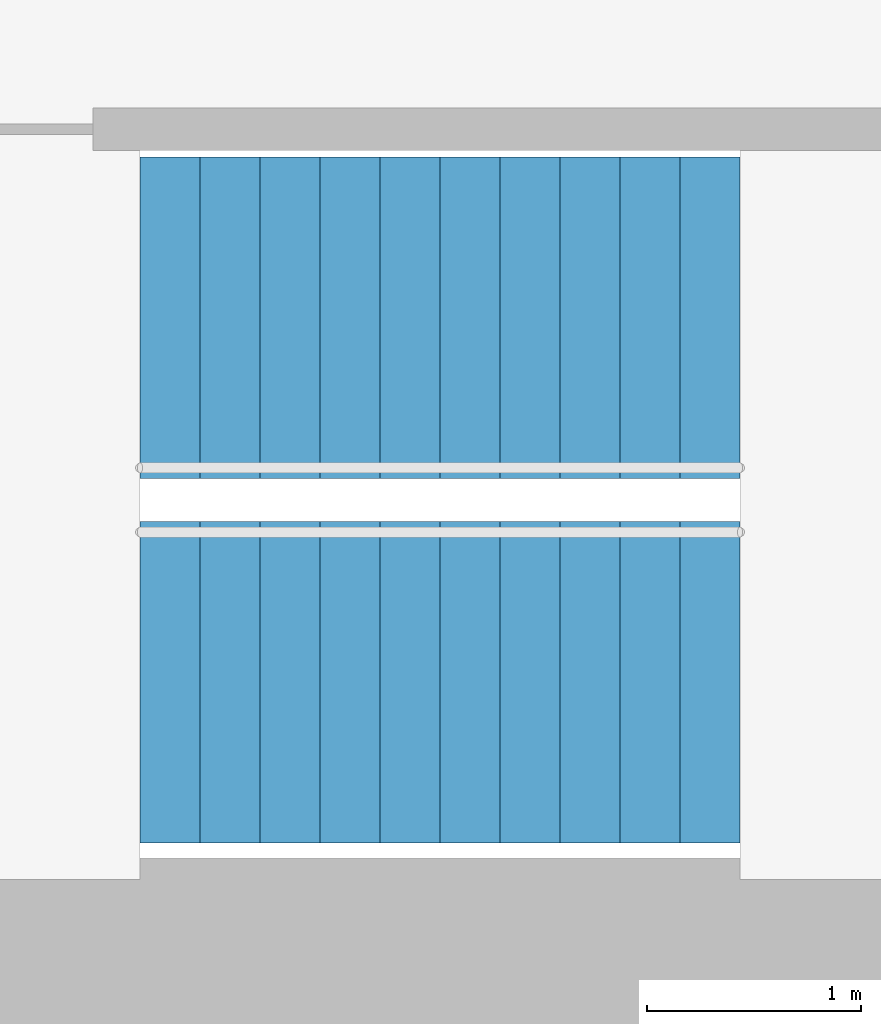
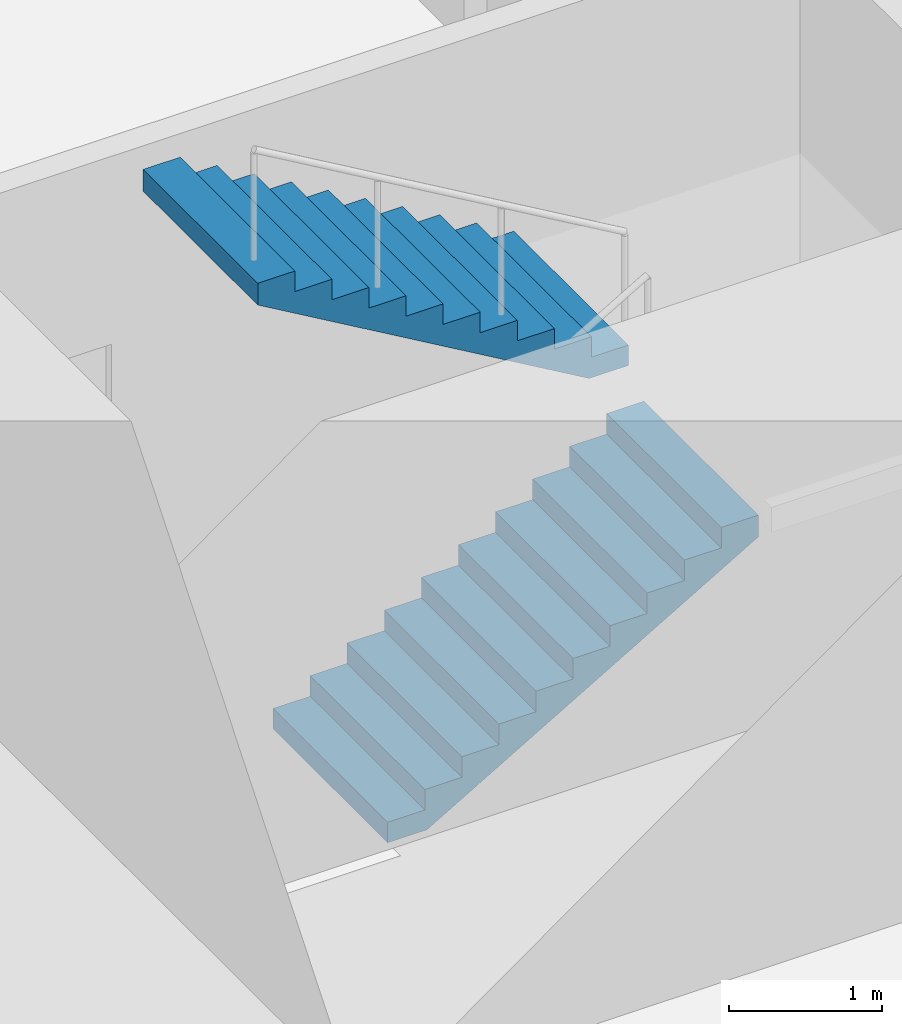
# One storey, part 13 of 15: 2 stair flights, 1 element without a shape of its own.
"""IFC4 building model written with IfcOpenShell, lengths in metres."""

from ifc_helpers import new_model, si_unit, direction, frame, origin, place, context, subcontext, project, spatial, triangles, material, type_object, element, aggregate, save


model = new_model("IFC4")

# Units and contexts
model_context = context("Model", 3, precision=1e-05, world=origin(), true_north=direction((0.0, 1.0)))
body_context = subcontext(model_context, "Body", "Model", "MODEL_VIEW")
ifc_project = project(units=[si_unit("LENGTHUNIT", "METRE"), si_unit("AREAUNIT", "SQUARE_METRE"), si_unit("VOLUMEUNIT", "CUBIC_METRE"), si_unit("PLANEANGLEUNIT", "RADIAN"), si_unit("MASSUNIT", "GRAM", prefix="KILO")], contexts=[model_context])

# Site, building, storey
site_placement = place(None, origin())
site = spatial("IfcSite", under=ifc_project, at=site_placement, CompositionType="ELEMENT")
building_placement = place(site_placement, origin())
building = spatial("IfcBuilding", under=site, at=building_placement, Name="Lantaw Convention Tower", CompositionType="ELEMENT")
storey_placement = place(building_placement, frame((0.0, 0.0, 80.199951171875)))
storey = spatial("IfcBuildingStorey", under=building, at=storey_placement, Name="L18", CompositionType="ELEMENT", Elevation=80.199951171875)

# Stair, stair flights
ifc_material = material(Name="Concrete C35/45", Category="concrete")
stair_type = type_object("IfcStairType", Name="Exit stair 1500 riser 163.64 in 2 flights", PredefinedType="HALF_TURN_STAIR", material=ifc_material)
stair_placement = place(storey_placement, origin())
stair = element("IfcStair", 1, at=stair_placement, inside=storey, type_object=stair_type, Name="Exit stair S1 L18", PredefinedType="HALF_TURN_STAIR")
stair_flight_type = type_object("IfcStairFlightType", Name="Stair flight 1500 riser 163.64", PredefinedType="STRAIGHT", material=ifc_material)
stair_flight_1_placement = place(storey_placement, frame((-10.580078125, -5.97998046875, 0.0), z_axis=(0.0, 0.0, 1.0), x_axis=(1.0, 0.0, 0.0)))
stair_flight_1 = element("IfcStairFlight", 2, at=stair_flight_1_placement, type_object=stair_flight_type, Name="S1 flight 1", NumberOfRisers=11, NumberOfTreads=10, PredefinedType="STRAIGHT", RiserHeight=0.163636364, TreadLength=0.28, context=body_context, shape_type="Tessellation", body=[
    triangles([(0.0, 0.75, 0.0), (0.0, 0.75, 0.163636364), (0.28, 0.75, 0.0), (0.28, 0.75, 0.163636364), (0.28, 0.75, 0.327272728), (0.2970904571225277, 0.75, 0.0), (0.2970904571225277, 0.75, 0.327272728), (0.56, 0.75, 0.1536484344906131), (0.56, 0.75, 0.327272728), (0.56, 0.75, 0.490909092), (0.8400000000000001, 0.75, 0.3172847984906131), (0.8400000000000001, 0.75, 0.490909092), (0.8400000000000001, 0.75, 0.654545456), (1.12, 0.75, 0.4809211624906131), (1.12, 0.75, 0.654545456), (1.12, 0.75, 0.8181818200000001), (1.4000000000000001, 0.75, 0.6445575264906132), (1.4000000000000001, 0.75, 0.8181818200000001), (1.4000000000000001, 0.75, 0.981818184), (1.6800000000000002, 0.75, 0.8081938904906131), (1.6800000000000002, 0.75, 0.981818184), (1.6800000000000002, 0.75, 1.145454548), (1.9600000000000002, 0.75, 0.9718302544906131), (1.9600000000000002, 0.75, 1.145454548), (1.9600000000000002, 0.75, 1.309090912), (2.24, 0.75, 1.135466618490613), (2.24, 0.75, 1.309090912), (2.24, 0.75, 1.472727276), (2.5200000000000005, 0.75, 1.2991029824906133), (2.5200000000000005, 0.75, 1.472727276), (2.5200000000000005, 0.75, 1.6363636400000001), (2.8000000000000003, 0.75, 1.462739346490613), (2.8000000000000003, 0.75, 1.6363636400000001), (0.0, -0.75, 0.0), (0.0, -0.75, 0.163636364), (0.28, -0.75, 0.0), (0.28, -0.75, 0.163636364), (0.28, -0.75, 0.327272728), (0.2970904571225277, -0.75, 0.0), (0.2970904571225277, -0.75, 0.327272728), (0.56, -0.75, 0.1536484344906131), (0.56, -0.75, 0.327272728), (0.56, -0.75, 0.490909092), (0.8400000000000001, -0.75, 0.3172847984906131), (0.8400000000000001, -0.75, 0.490909092), (0.8400000000000001, -0.75, 0.654545456), (1.12, -0.75, 0.4809211624906131), (1.12, -0.75, 0.654545456), (1.12, -0.75, 0.8181818200000001), (1.4000000000000001, -0.75, 0.6445575264906132), (1.4000000000000001, -0.75, 0.8181818200000001), (1.4000000000000001, -0.75, 0.981818184), (1.6800000000000002, -0.75, 0.8081938904906131), (1.6800000000000002, -0.75, 0.981818184), (1.6800000000000002, -0.75, 1.145454548), (1.9600000000000002, -0.75, 0.9718302544906131), (1.9600000000000002, -0.75, 1.145454548), (1.9600000000000002, -0.75, 1.309090912), (2.24, -0.75, 1.135466618490613), (2.24, -0.75, 1.309090912), (2.24, -0.75, 1.472727276), (2.5200000000000005, -0.75, 1.2991029824906133), (2.5200000000000005, -0.75, 1.472727276), (2.5200000000000005, -0.75, 1.6363636400000001), (2.8000000000000003, -0.75, 1.462739346490613), (2.8000000000000003, -0.75, 1.6363636400000001), (0.0, 0.15000000000000002, 0.163636364), (0.0, 0.15000000000000002, 0.0), (0.0, 0.0, 0.163636364), (0.0, 0.0, 0.0), (0.0, -0.15000000000000002, 0.163636364), (0.0, -0.15000000000000002, 0.0), (0.28, 0.15000000000000002, 0.327272728), (0.28, 0.15000000000000002, 0.163636364), (0.28, 0.0, 0.327272728), (0.28, 0.0, 0.163636364), (0.28, -0.15000000000000002, 0.327272728), (0.28, -0.15000000000000002, 0.163636364), (0.56, 0.15000000000000002, 0.490909092), (0.56, 0.15000000000000002, 0.327272728), (0.56, 0.0, 0.490909092), (0.56, 0.0, 0.327272728), (0.56, -0.15000000000000002, 0.490909092), (0.56, -0.15000000000000002, 0.327272728), (0.8400000000000001, 0.15000000000000002, 0.654545456), (0.8400000000000001, 0.15000000000000002, 0.490909092), (0.8400000000000001, 0.0, 0.654545456), (0.8400000000000001, 0.0, 0.490909092), (0.8400000000000001, -0.15000000000000002, 0.654545456), (0.8400000000000001, -0.15000000000000002, 0.490909092), (1.12, 0.15000000000000002, 0.8181818200000001), (1.12, 0.15000000000000002, 0.654545456), (1.12, 0.0, 0.8181818200000001), (1.12, 0.0, 0.654545456), (1.12, -0.15000000000000002, 0.8181818200000001), (1.12, -0.15000000000000002, 0.654545456), (1.4000000000000001, 0.15000000000000002, 0.981818184), (1.4000000000000001, 0.15000000000000002, 0.8181818200000001), (1.4000000000000001, 0.0, 0.981818184), (1.4000000000000001, 0.0, 0.8181818200000001), (1.4000000000000001, -0.15000000000000002, 0.981818184), (1.4000000000000001, -0.15000000000000002, 0.8181818200000001), (1.6800000000000002, 0.15000000000000002, 1.145454548), (1.6800000000000002, 0.15000000000000002, 0.981818184), (1.6800000000000002, 0.0, 1.145454548), (1.6800000000000002, 0.0, 0.981818184), (1.6800000000000002, -0.15000000000000002, 1.145454548), (1.6800000000000002, -0.15000000000000002, 0.981818184), (1.9600000000000002, 0.15000000000000002, 1.309090912), (1.9600000000000002, 0.15000000000000002, 1.145454548), (1.9600000000000002, 0.0, 1.309090912), (1.9600000000000002, 0.0, 1.145454548), (1.9600000000000002, -0.15000000000000002, 1.309090912), (1.9600000000000002, -0.15000000000000002, 1.145454548), (2.24, 0.15000000000000002, 1.472727276), (2.24, 0.15000000000000002, 1.309090912), (2.24, 0.0, 1.472727276), (2.24, 0.0, 1.309090912), (2.24, -0.15000000000000002, 1.472727276), (2.24, -0.15000000000000002, 1.309090912), (2.5200000000000005, 0.15000000000000002, 1.6363636400000001), (2.5200000000000005, 0.15000000000000002, 1.472727276), (2.5200000000000005, 0.0, 1.6363636400000001), (2.5200000000000005, 0.0, 1.472727276), (2.5200000000000005, -0.15000000000000002, 1.6363636400000001), (2.5200000000000005, -0.15000000000000002, 1.472727276), (0.2970904571225277, 0.15000000000000002, 0.327272728), (0.2970904571225277, 0.0, 0.327272728), (0.2970904571225277, -0.15000000000000002, 0.327272728), (2.8000000000000003, 0.15000000000000002, 1.6363636400000001), (2.8000000000000003, 0.0, 1.6363636400000001), (2.8000000000000003, -0.15000000000000002, 1.6363636400000001), (2.8000000000000003, 0.15000000000000002, 1.462739346490613), (2.8000000000000003, 0.0, 1.462739346490613), (2.8000000000000003, -0.15000000000000002, 1.462739346490613), (2.5200000000000005, 0.15000000000000002, 1.2991029824906133), (2.5200000000000005, 0.0, 1.2991029824906133), (2.5200000000000005, -0.15000000000000002, 1.2991029824906133), (2.24, 0.15000000000000002, 1.135466618490613), (2.24, 0.0, 1.135466618490613), (2.24, -0.15000000000000002, 1.135466618490613), (1.9600000000000002, 0.15000000000000002, 0.9718302544906131), (1.9600000000000002, 0.0, 0.9718302544906131), (1.9600000000000002, -0.15000000000000002, 0.9718302544906131), (1.6800000000000002, 0.15000000000000002, 0.8081938904906131), (1.6800000000000002, 0.0, 0.8081938904906131), (1.6800000000000002, -0.15000000000000002, 0.8081938904906131), (1.4000000000000001, 0.15000000000000002, 0.6445575264906132), (1.4000000000000001, 0.0, 0.6445575264906132), (1.4000000000000001, -0.15000000000000002, 0.6445575264906132), (1.12, 0.15000000000000002, 0.4809211624906131), (1.12, 0.0, 0.4809211624906131), (1.12, -0.15000000000000002, 0.4809211624906131), (0.8400000000000001, 0.15000000000000002, 0.3172847984906131), (0.8400000000000001, 0.0, 0.3172847984906131), (0.8400000000000001, -0.15000000000000002, 0.3172847984906131), (0.56, 0.15000000000000002, 0.1536484344906131), (0.56, 0.0, 0.1536484344906131), (0.56, -0.15000000000000002, 0.1536484344906131), (0.2970904571225277, 0.15000000000000002, 0.0), (0.2970904571225277, 0.0, 0.0), (0.2970904571225277, -0.15000000000000002, 0.0), (0.28, 0.15000000000000002, 0.0), (0.28, 0.0, 0.0), (0.28, -0.15000000000000002, 0.0)], [[1, 4, 3], [1, 2, 4], [3, 4, 6], [4, 7, 6], [4, 5, 7], [6, 9, 8], [6, 7, 9], [8, 9, 11], [9, 12, 11], [9, 10, 12], [11, 12, 14], [12, 15, 14], [12, 13, 15], [14, 15, 17], [15, 18, 17], [15, 16, 18], [17, 18, 20], [18, 21, 20], [18, 19, 21], [20, 21, 23], [21, 24, 23], [21, 22, 24], [23, 24, 26], [24, 27, 26], [24, 25, 27], [26, 27, 29], [27, 30, 29], [27, 28, 30], [29, 30, 32], [30, 33, 32], [30, 31, 33], [34, 36, 37], [34, 37, 35], [36, 39, 37], [37, 39, 40], [37, 40, 38], [39, 41, 42], [39, 42, 40], [41, 44, 42], [42, 44, 45], [42, 45, 43], [44, 47, 45], [45, 47, 48], [45, 48, 46], [47, 50, 48], [48, 50, 51], [48, 51, 49], [50, 53, 51], [51, 53, 54], [51, 54, 52], [53, 56, 54], [54, 56, 57], [54, 57, 55], [56, 59, 57], [57, 59, 60], [57, 60, 58], [59, 62, 60], [60, 62, 63], [60, 63, 61], [62, 65, 63], [63, 65, 66], [63, 66, 64], [1, 67, 2], [1, 68, 67], [68, 69, 67], [68, 70, 69], [70, 71, 69], [70, 72, 71], [72, 35, 71], [72, 34, 35], [4, 73, 5], [4, 74, 73], [74, 75, 73], [74, 76, 75], [76, 77, 75], [76, 78, 77], [78, 38, 77], [78, 37, 38], [9, 79, 10], [9, 80, 79], [80, 81, 79], [80, 82, 81], [82, 83, 81], [82, 84, 83], [84, 43, 83], [84, 42, 43], [12, 85, 13], [12, 86, 85], [86, 87, 85], [86, 88, 87], [88, 89, 87], [88, 90, 89], [90, 46, 89], [90, 45, 46], [15, 91, 16], [15, 92, 91], [92, 93, 91], [92, 94, 93], [94, 95, 93], [94, 96, 95], [96, 49, 95], [96, 48, 49], [18, 97, 19], [18, 98, 97], [98, 99, 97], [98, 100, 99], [100, 101, 99], [100, 102, 101], [102, 52, 101], [102, 51, 52], [21, 103, 22], [21, 104, 103], [104, 105, 103], [104, 106, 105], [106, 107, 105], [106, 108, 107], [108, 55, 107], [108, 54, 55], [24, 109, 25], [24, 110, 109], [110, 111, 109], [110, 112, 111], [112, 113, 111], [112, 114, 113], [114, 58, 113], [114, 57, 58], [27, 115, 28], [27, 116, 115], [116, 117, 115], [116, 118, 117], [118, 119, 117], [118, 120, 119], [120, 61, 119], [120, 60, 61], [30, 121, 31], [30, 122, 121], [122, 123, 121], [122, 124, 123], [124, 125, 123], [124, 126, 125], [126, 64, 125], [126, 63, 64], [2, 74, 4], [2, 67, 74], [67, 76, 74], [67, 69, 76], [69, 78, 76], [69, 71, 78], [71, 37, 78], [71, 35, 37], [5, 127, 7], [5, 73, 127], [73, 128, 127], [73, 75, 128], [75, 129, 128], [75, 77, 129], [77, 40, 129], [77, 38, 40], [7, 80, 9], [7, 127, 80], [127, 82, 80], [127, 128, 82], [128, 84, 82], [128, 129, 84], [129, 42, 84], [129, 40, 42], [10, 86, 12], [10, 79, 86], [79, 88, 86], [79, 81, 88], [81, 90, 88], [81, 83, 90], [83, 45, 90], [83, 43, 45], [13, 92, 15], [13, 85, 92], [85, 94, 92], [85, 87, 94], [87, 96, 94], [87, 89, 96], [89, 48, 96], [89, 46, 48], [16, 98, 18], [16, 91, 98], [91, 100, 98], [91, 93, 100], [93, 102, 100], [93, 95, 102], [95, 51, 102], [95, 49, 51], [19, 104, 21], [19, 97, 104], [97, 106, 104], [97, 99, 106], [99, 108, 106], [99, 101, 108], [101, 54, 108], [101, 52, 54], [22, 110, 24], [22, 103, 110], [103, 112, 110], [103, 105, 112], [105, 114, 112], [105, 107, 114], [107, 57, 114], [107, 55, 57], [25, 116, 27], [25, 109, 116], [109, 118, 116], [109, 111, 118], [111, 120, 118], [111, 113, 120], [113, 60, 120], [113, 58, 60], [28, 122, 30], [28, 115, 122], [115, 124, 122], [115, 117, 124], [117, 126, 124], [117, 119, 126], [119, 63, 126], [119, 61, 63], [31, 130, 33], [31, 121, 130], [121, 131, 130], [121, 123, 131], [123, 132, 131], [123, 125, 132], [125, 66, 132], [125, 64, 66], [33, 133, 32], [33, 130, 133], [130, 134, 133], [130, 131, 134], [131, 135, 134], [131, 132, 135], [132, 65, 135], [132, 66, 65], [32, 136, 29], [32, 133, 136], [133, 137, 136], [133, 134, 137], [134, 138, 137], [134, 135, 138], [135, 62, 138], [135, 65, 62], [29, 139, 26], [29, 136, 139], [136, 140, 139], [136, 137, 140], [137, 141, 140], [137, 138, 141], [138, 59, 141], [138, 62, 59], [26, 142, 23], [26, 139, 142], [139, 143, 142], [139, 140, 143], [140, 144, 143], [140, 141, 144], [141, 56, 144], [141, 59, 56], [23, 145, 20], [23, 142, 145], [142, 146, 145], [142, 143, 146], [143, 147, 146], [143, 144, 147], [144, 53, 147], [144, 56, 53], [20, 148, 17], [20, 145, 148], [145, 149, 148], [145, 146, 149], [146, 150, 149], [146, 147, 150], [147, 50, 150], [147, 53, 50], [17, 151, 14], [17, 148, 151], [148, 152, 151], [148, 149, 152], [149, 153, 152], [149, 150, 153], [150, 47, 153], [150, 50, 47], [14, 154, 11], [14, 151, 154], [151, 155, 154], [151, 152, 155], [152, 156, 155], [152, 153, 156], [153, 44, 156], [153, 47, 44], [11, 157, 8], [11, 154, 157], [154, 158, 157], [154, 155, 158], [155, 159, 158], [155, 156, 159], [156, 41, 159], [156, 44, 41], [8, 160, 6], [8, 157, 160], [157, 161, 160], [157, 158, 161], [158, 162, 161], [158, 159, 162], [159, 39, 162], [159, 41, 39], [6, 163, 3], [6, 160, 163], [160, 164, 163], [160, 161, 164], [161, 165, 164], [161, 162, 165], [162, 36, 165], [162, 39, 36], [3, 68, 1], [3, 163, 68], [163, 70, 68], [163, 164, 70], [164, 72, 70], [164, 165, 72], [165, 34, 72], [165, 36, 34]], closed=True),
])
stair_flight_2_placement = place(storey_placement, frame((-7.780029296875, -4.280029296875, 1.800048828125), z_axis=(0.0, 0.0, 1.0), x_axis=(-1.0, 0.0, 0.0)))
stair_flight_2 = element("IfcStairFlight", 3, at=stair_flight_2_placement, type_object=stair_flight_type, Name="S1 flight 2", NumberOfRisers=11, NumberOfTreads=10, PredefinedType="STRAIGHT", RiserHeight=0.163636364, TreadLength=0.28, context=body_context, shape_type="Tessellation", body=[
    triangles([(0.0, 0.75, 0.0), (0.0, 0.75, 0.163636364), (0.28, 0.75, 0.0), (0.28, 0.75, 0.163636364), (0.28, 0.75, 0.327272728), (0.2970904571225277, 0.75, 0.0), (0.2970904571225277, 0.75, 0.327272728), (0.56, 0.75, 0.1536484344906131), (0.56, 0.75, 0.327272728), (0.56, 0.75, 0.490909092), (0.8400000000000001, 0.75, 0.3172847984906131), (0.8400000000000001, 0.75, 0.490909092), (0.8400000000000001, 0.75, 0.654545456), (1.12, 0.75, 0.4809211624906131), (1.12, 0.75, 0.654545456), (1.12, 0.75, 0.8181818200000001), (1.4000000000000001, 0.75, 0.6445575264906132), (1.4000000000000001, 0.75, 0.8181818200000001), (1.4000000000000001, 0.75, 0.981818184), (1.6800000000000002, 0.75, 0.8081938904906131), (1.6800000000000002, 0.75, 0.981818184), (1.6800000000000002, 0.75, 1.145454548), (1.9600000000000002, 0.75, 0.9718302544906131), (1.9600000000000002, 0.75, 1.145454548), (1.9600000000000002, 0.75, 1.309090912), (2.24, 0.75, 1.135466618490613), (2.24, 0.75, 1.309090912), (2.24, 0.75, 1.472727276), (2.5200000000000005, 0.75, 1.2991029824906133), (2.5200000000000005, 0.75, 1.472727276), (2.5200000000000005, 0.75, 1.6363636400000001), (2.8000000000000003, 0.75, 1.462739346490613), (2.8000000000000003, 0.75, 1.6363636400000001), (0.0, -0.75, 0.0), (0.0, -0.75, 0.163636364), (0.28, -0.75, 0.0), (0.28, -0.75, 0.163636364), (0.28, -0.75, 0.327272728), (0.2970904571225277, -0.75, 0.0), (0.2970904571225277, -0.75, 0.327272728), (0.56, -0.75, 0.1536484344906131), (0.56, -0.75, 0.327272728), (0.56, -0.75, 0.490909092), (0.8400000000000001, -0.75, 0.3172847984906131), (0.8400000000000001, -0.75, 0.490909092), (0.8400000000000001, -0.75, 0.654545456), (1.12, -0.75, 0.4809211624906131), (1.12, -0.75, 0.654545456), (1.12, -0.75, 0.8181818200000001), (1.4000000000000001, -0.75, 0.6445575264906132), (1.4000000000000001, -0.75, 0.8181818200000001), (1.4000000000000001, -0.75, 0.981818184), (1.6800000000000002, -0.75, 0.8081938904906131), (1.6800000000000002, -0.75, 0.981818184), (1.6800000000000002, -0.75, 1.145454548), (1.9600000000000002, -0.75, 0.9718302544906131), (1.9600000000000002, -0.75, 1.145454548), (1.9600000000000002, -0.75, 1.309090912), (2.24, -0.75, 1.135466618490613), (2.24, -0.75, 1.309090912), (2.24, -0.75, 1.472727276), (2.5200000000000005, -0.75, 1.2991029824906133), (2.5200000000000005, -0.75, 1.472727276), (2.5200000000000005, -0.75, 1.6363636400000001), (2.8000000000000003, -0.75, 1.462739346490613), (2.8000000000000003, -0.75, 1.6363636400000001), (0.0, 0.15000000000000002, 0.163636364), (0.0, 0.15000000000000002, 0.0), (0.0, 0.0, 0.163636364), (0.0, 0.0, 0.0), (0.0, -0.15000000000000002, 0.163636364), (0.0, -0.15000000000000002, 0.0), (0.28, 0.15000000000000002, 0.327272728), (0.28, 0.15000000000000002, 0.163636364), (0.28, 0.0, 0.327272728), (0.28, 0.0, 0.163636364), (0.28, -0.15000000000000002, 0.327272728), (0.28, -0.15000000000000002, 0.163636364), (0.56, 0.15000000000000002, 0.490909092), (0.56, 0.15000000000000002, 0.327272728), (0.56, 0.0, 0.490909092), (0.56, 0.0, 0.327272728), (0.56, -0.15000000000000002, 0.490909092), (0.56, -0.15000000000000002, 0.327272728), (0.8400000000000001, 0.15000000000000002, 0.654545456), (0.8400000000000001, 0.15000000000000002, 0.490909092), (0.8400000000000001, 0.0, 0.654545456), (0.8400000000000001, 0.0, 0.490909092), (0.8400000000000001, -0.15000000000000002, 0.654545456), (0.8400000000000001, -0.15000000000000002, 0.490909092), (1.12, 0.15000000000000002, 0.8181818200000001), (1.12, 0.15000000000000002, 0.654545456), (1.12, 0.0, 0.8181818200000001), (1.12, 0.0, 0.654545456), (1.12, -0.15000000000000002, 0.8181818200000001), (1.12, -0.15000000000000002, 0.654545456), (1.4000000000000001, 0.15000000000000002, 0.981818184), (1.4000000000000001, 0.15000000000000002, 0.8181818200000001), (1.4000000000000001, 0.0, 0.981818184), (1.4000000000000001, 0.0, 0.8181818200000001), (1.4000000000000001, -0.15000000000000002, 0.981818184), (1.4000000000000001, -0.15000000000000002, 0.8181818200000001), (1.6800000000000002, 0.15000000000000002, 1.145454548), (1.6800000000000002, 0.15000000000000002, 0.981818184), (1.6800000000000002, 0.0, 1.145454548), (1.6800000000000002, 0.0, 0.981818184), (1.6800000000000002, -0.15000000000000002, 1.145454548), (1.6800000000000002, -0.15000000000000002, 0.981818184), (1.9600000000000002, 0.15000000000000002, 1.309090912), (1.9600000000000002, 0.15000000000000002, 1.145454548), (1.9600000000000002, 0.0, 1.309090912), (1.9600000000000002, 0.0, 1.145454548), (1.9600000000000002, -0.15000000000000002, 1.309090912), (1.9600000000000002, -0.15000000000000002, 1.145454548), (2.24, 0.15000000000000002, 1.472727276), (2.24, 0.15000000000000002, 1.309090912), (2.24, 0.0, 1.472727276), (2.24, 0.0, 1.309090912), (2.24, -0.15000000000000002, 1.472727276), (2.24, -0.15000000000000002, 1.309090912), (2.5200000000000005, 0.15000000000000002, 1.6363636400000001), (2.5200000000000005, 0.15000000000000002, 1.472727276), (2.5200000000000005, 0.0, 1.6363636400000001), (2.5200000000000005, 0.0, 1.472727276), (2.5200000000000005, -0.15000000000000002, 1.6363636400000001), (2.5200000000000005, -0.15000000000000002, 1.472727276), (0.2970904571225277, 0.15000000000000002, 0.327272728), (0.2970904571225277, 0.0, 0.327272728), (0.2970904571225277, -0.15000000000000002, 0.327272728), (2.8000000000000003, 0.15000000000000002, 1.6363636400000001), (2.8000000000000003, 0.0, 1.6363636400000001), (2.8000000000000003, -0.15000000000000002, 1.6363636400000001), (2.8000000000000003, 0.15000000000000002, 1.462739346490613), (2.8000000000000003, 0.0, 1.462739346490613), (2.8000000000000003, -0.15000000000000002, 1.462739346490613), (2.5200000000000005, 0.15000000000000002, 1.2991029824906133), (2.5200000000000005, 0.0, 1.2991029824906133), (2.5200000000000005, -0.15000000000000002, 1.2991029824906133), (2.24, 0.15000000000000002, 1.135466618490613), (2.24, 0.0, 1.135466618490613), (2.24, -0.15000000000000002, 1.135466618490613), (1.9600000000000002, 0.15000000000000002, 0.9718302544906131), (1.9600000000000002, 0.0, 0.9718302544906131), (1.9600000000000002, -0.15000000000000002, 0.9718302544906131), (1.6800000000000002, 0.15000000000000002, 0.8081938904906131), (1.6800000000000002, 0.0, 0.8081938904906131), (1.6800000000000002, -0.15000000000000002, 0.8081938904906131), (1.4000000000000001, 0.15000000000000002, 0.6445575264906132), (1.4000000000000001, 0.0, 0.6445575264906132), (1.4000000000000001, -0.15000000000000002, 0.6445575264906132), (1.12, 0.15000000000000002, 0.4809211624906131), (1.12, 0.0, 0.4809211624906131), (1.12, -0.15000000000000002, 0.4809211624906131), (0.8400000000000001, 0.15000000000000002, 0.3172847984906131), (0.8400000000000001, 0.0, 0.3172847984906131), (0.8400000000000001, -0.15000000000000002, 0.3172847984906131), (0.56, 0.15000000000000002, 0.1536484344906131), (0.56, 0.0, 0.1536484344906131), (0.56, -0.15000000000000002, 0.1536484344906131), (0.2970904571225277, 0.15000000000000002, 0.0), (0.2970904571225277, 0.0, 0.0), (0.2970904571225277, -0.15000000000000002, 0.0), (0.28, 0.15000000000000002, 0.0), (0.28, 0.0, 0.0), (0.28, -0.15000000000000002, 0.0)], [[1, 4, 3], [1, 2, 4], [3, 4, 6], [4, 7, 6], [4, 5, 7], [6, 9, 8], [6, 7, 9], [8, 9, 11], [9, 12, 11], [9, 10, 12], [11, 12, 14], [12, 15, 14], [12, 13, 15], [14, 15, 17], [15, 18, 17], [15, 16, 18], [17, 18, 20], [18, 21, 20], [18, 19, 21], [20, 21, 23], [21, 24, 23], [21, 22, 24], [23, 24, 26], [24, 27, 26], [24, 25, 27], [26, 27, 29], [27, 30, 29], [27, 28, 30], [29, 30, 32], [30, 33, 32], [30, 31, 33], [34, 36, 37], [34, 37, 35], [36, 39, 37], [37, 39, 40], [37, 40, 38], [39, 41, 42], [39, 42, 40], [41, 44, 42], [42, 44, 45], [42, 45, 43], [44, 47, 45], [45, 47, 48], [45, 48, 46], [47, 50, 48], [48, 50, 51], [48, 51, 49], [50, 53, 51], [51, 53, 54], [51, 54, 52], [53, 56, 54], [54, 56, 57], [54, 57, 55], [56, 59, 57], [57, 59, 60], [57, 60, 58], [59, 62, 60], [60, 62, 63], [60, 63, 61], [62, 65, 63], [63, 65, 66], [63, 66, 64], [1, 67, 2], [1, 68, 67], [68, 69, 67], [68, 70, 69], [70, 71, 69], [70, 72, 71], [72, 35, 71], [72, 34, 35], [4, 73, 5], [4, 74, 73], [74, 75, 73], [74, 76, 75], [76, 77, 75], [76, 78, 77], [78, 38, 77], [78, 37, 38], [9, 79, 10], [9, 80, 79], [80, 81, 79], [80, 82, 81], [82, 83, 81], [82, 84, 83], [84, 43, 83], [84, 42, 43], [12, 85, 13], [12, 86, 85], [86, 87, 85], [86, 88, 87], [88, 89, 87], [88, 90, 89], [90, 46, 89], [90, 45, 46], [15, 91, 16], [15, 92, 91], [92, 93, 91], [92, 94, 93], [94, 95, 93], [94, 96, 95], [96, 49, 95], [96, 48, 49], [18, 97, 19], [18, 98, 97], [98, 99, 97], [98, 100, 99], [100, 101, 99], [100, 102, 101], [102, 52, 101], [102, 51, 52], [21, 103, 22], [21, 104, 103], [104, 105, 103], [104, 106, 105], [106, 107, 105], [106, 108, 107], [108, 55, 107], [108, 54, 55], [24, 109, 25], [24, 110, 109], [110, 111, 109], [110, 112, 111], [112, 113, 111], [112, 114, 113], [114, 58, 113], [114, 57, 58], [27, 115, 28], [27, 116, 115], [116, 117, 115], [116, 118, 117], [118, 119, 117], [118, 120, 119], [120, 61, 119], [120, 60, 61], [30, 121, 31], [30, 122, 121], [122, 123, 121], [122, 124, 123], [124, 125, 123], [124, 126, 125], [126, 64, 125], [126, 63, 64], [2, 74, 4], [2, 67, 74], [67, 76, 74], [67, 69, 76], [69, 78, 76], [69, 71, 78], [71, 37, 78], [71, 35, 37], [5, 127, 7], [5, 73, 127], [73, 128, 127], [73, 75, 128], [75, 129, 128], [75, 77, 129], [77, 40, 129], [77, 38, 40], [7, 80, 9], [7, 127, 80], [127, 82, 80], [127, 128, 82], [128, 84, 82], [128, 129, 84], [129, 42, 84], [129, 40, 42], [10, 86, 12], [10, 79, 86], [79, 88, 86], [79, 81, 88], [81, 90, 88], [81, 83, 90], [83, 45, 90], [83, 43, 45], [13, 92, 15], [13, 85, 92], [85, 94, 92], [85, 87, 94], [87, 96, 94], [87, 89, 96], [89, 48, 96], [89, 46, 48], [16, 98, 18], [16, 91, 98], [91, 100, 98], [91, 93, 100], [93, 102, 100], [93, 95, 102], [95, 51, 102], [95, 49, 51], [19, 104, 21], [19, 97, 104], [97, 106, 104], [97, 99, 106], [99, 108, 106], [99, 101, 108], [101, 54, 108], [101, 52, 54], [22, 110, 24], [22, 103, 110], [103, 112, 110], [103, 105, 112], [105, 114, 112], [105, 107, 114], [107, 57, 114], [107, 55, 57], [25, 116, 27], [25, 109, 116], [109, 118, 116], [109, 111, 118], [111, 120, 118], [111, 113, 120], [113, 60, 120], [113, 58, 60], [28, 122, 30], [28, 115, 122], [115, 124, 122], [115, 117, 124], [117, 126, 124], [117, 119, 126], [119, 63, 126], [119, 61, 63], [31, 130, 33], [31, 121, 130], [121, 131, 130], [121, 123, 131], [123, 132, 131], [123, 125, 132], [125, 66, 132], [125, 64, 66], [33, 133, 32], [33, 130, 133], [130, 134, 133], [130, 131, 134], [131, 135, 134], [131, 132, 135], [132, 65, 135], [132, 66, 65], [32, 136, 29], [32, 133, 136], [133, 137, 136], [133, 134, 137], [134, 138, 137], [134, 135, 138], [135, 62, 138], [135, 65, 62], [29, 139, 26], [29, 136, 139], [136, 140, 139], [136, 137, 140], [137, 141, 140], [137, 138, 141], [138, 59, 141], [138, 62, 59], [26, 142, 23], [26, 139, 142], [139, 143, 142], [139, 140, 143], [140, 144, 143], [140, 141, 144], [141, 56, 144], [141, 59, 56], [23, 145, 20], [23, 142, 145], [142, 146, 145], [142, 143, 146], [143, 147, 146], [143, 144, 147], [144, 53, 147], [144, 56, 53], [20, 148, 17], [20, 145, 148], [145, 149, 148], [145, 146, 149], [146, 150, 149], [146, 147, 150], [147, 50, 150], [147, 53, 50], [17, 151, 14], [17, 148, 151], [148, 152, 151], [148, 149, 152], [149, 153, 152], [149, 150, 153], [150, 47, 153], [150, 50, 47], [14, 154, 11], [14, 151, 154], [151, 155, 154], [151, 152, 155], [152, 156, 155], [152, 153, 156], [153, 44, 156], [153, 47, 44], [11, 157, 8], [11, 154, 157], [154, 158, 157], [154, 155, 158], [155, 159, 158], [155, 156, 159], [156, 41, 159], [156, 44, 41], [8, 160, 6], [8, 157, 160], [157, 161, 160], [157, 158, 161], [158, 162, 161], [158, 159, 162], [159, 39, 162], [159, 41, 39], [6, 163, 3], [6, 160, 163], [160, 164, 163], [160, 161, 164], [161, 165, 164], [161, 162, 165], [162, 36, 165], [162, 39, 36], [3, 68, 1], [3, 163, 68], [163, 70, 68], [163, 164, 70], [164, 72, 70], [164, 165, 72], [165, 34, 72], [165, 36, 34]], closed=True),
])
aggregate(stair, [stair_flight_1, stair_flight_2])

save(model, "model.ifc")
